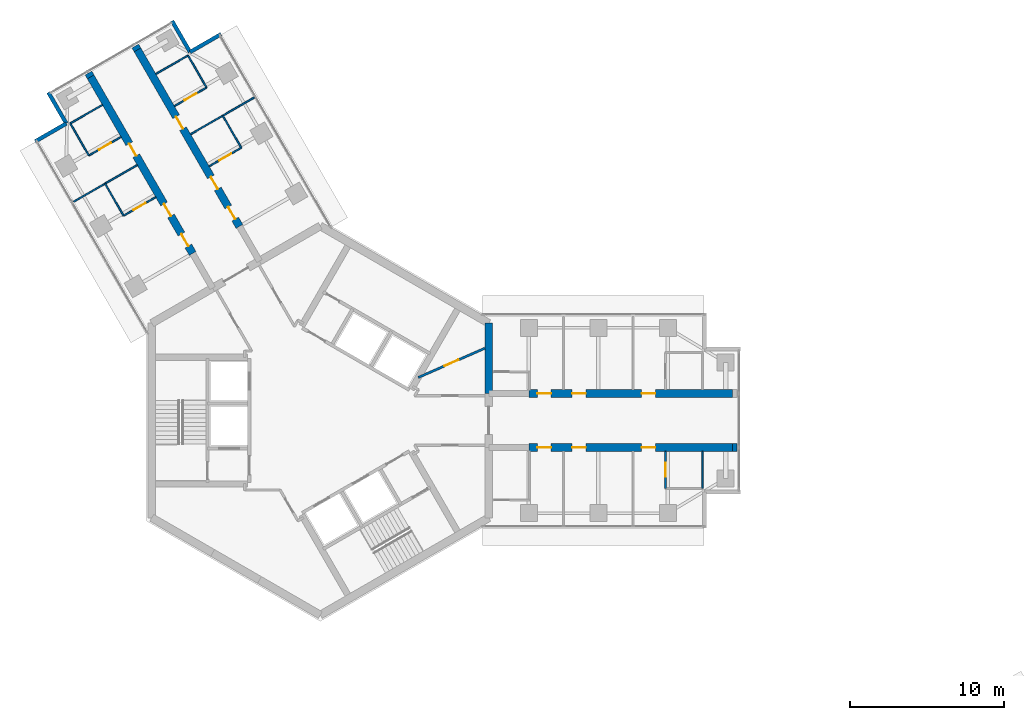
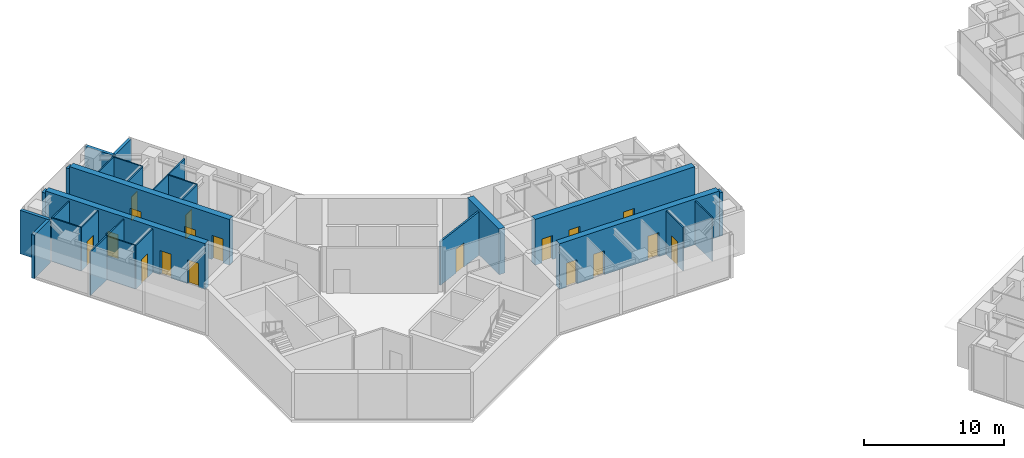
# One storey, part 13 of 18: 27 walls, 18 doors, 18 openings.
"""IFC4 building model written with IfcOpenShell, lengths in metres."""

from ifc_helpers import new_model, si_unit, direction, frame, frame_2d, origin, place, context, subcontext, project, spatial, rectangle, extrude, material, layer, layer_set, type_object, element, fill, save


model = new_model("IFC4")

# Units and contexts
model_context = context("Model", 3, precision=1e-05, world=origin(), true_north=direction((0.0, 1.0)))
body_context = subcontext(model_context, "Body", "Model", "MODEL_VIEW")
ifc_project = project(units=[si_unit("LENGTHUNIT", "METRE"), si_unit("AREAUNIT", "SQUARE_METRE"), si_unit("VOLUMEUNIT", "CUBIC_METRE"), si_unit("PLANEANGLEUNIT", "RADIAN"), si_unit("MASSUNIT", "GRAM", prefix="KILO")], contexts=[model_context])

# Site, building, storey
site_placement = place(None, origin())
site = spatial("IfcSite", under=ifc_project, at=site_placement, CompositionType="ELEMENT")
building_placement = place(site_placement, origin())
building = spatial("IfcBuilding", under=site, at=building_placement, Name="Upepo Twin Towers", CompositionType="ELEMENT")
storey_placement = place(building_placement, frame((0.0, 0.0, 222.5)))
storey = spatial("IfcBuildingStorey", under=building, at=storey_placement, Name="L54", CompositionType="ELEMENT", Elevation=222.5)

# Walls
ifc_material_1 = material(Name="Dense concrete blockwork", Category="masonry")
ifc_layer_1 = layer(ifc_material_1, 0.5)
ifc_layer_set_1 = layer_set([ifc_layer_1], Name="Buttress closer 500, blockwork with fire-stopping to the curtain wall")
wall_type_1 = type_object("IfcWallType", Name="Buttress closer 500, blockwork with fire-stopping to the curtain wall", PredefinedType="PARTITIONING", material=ifc_layer_set_1)
for number, where, z_axis, x_axis, name in (
    (1, (26.699951171875, -1.75, 0.0), (0.0, 0.0, 1.0), (1.0, 0.0, 0.0), "T1 L54 wing A buttress closer R"),
    (2, (-14.865478515625, 22.247802734375, 0.0), (0.0, 0.0, 1.0), (-0.500065409566, 0.86598763626, 0.0), "T1 L54 wing B buttress closer L"),
    (3, (-11.83447265625, 23.997802734375, 0.0), (0.0, 0.0, 1.0), (-0.500065409566, 0.86598763626, 0.0), "T1 L54 wing B buttress closer R"),
):
    element("IfcWall", number, at=place(storey_placement, frame(where, z_axis=z_axis, x_axis=x_axis)), inside=storey, type_object=wall_type_1, Name=name, PredefinedType="PARTITIONING", context=body_context, shape_type="SweptSolid", body=[
        extrude(rectangle(XDim=0.28759765625, YDim=0.5, at=frame_2d((0.143798828125, 0.0))), origin(), (0.0, 0.0, 1.0), 3.800048828125),
    ])

# Wall, openings, doors
ifc_material_2 = material(Name="Concrete C60/75", Category="concrete")
ifc_layer_2 = layer(ifc_material_2, 0.5)
ifc_layer_set_2 = layer_set([ifc_layer_2], Name="Concrete C60/75")
wall_type_2 = type_object("IfcWallType", Name="Buttress wall 500 RC", PredefinedType="SHEAR", material=ifc_layer_set_2)
wall_1_placement = place(storey_placement, frame((13.5, 1.75, 0.0), z_axis=(0.0, 0.0, 1.0), x_axis=(1.0, 0.0, 0.0)))
wall_1 = element("IfcWall", 4, at=wall_1_placement, inside=storey, type_object=wall_type_2, Name="T1 wing A buttress wall L part 2", PredefinedType="SHEAR", context=body_context, shape_type="SweptSolid", body=[
    extrude(rectangle(XDim=13.199951171875, YDim=0.5, at=frame_2d((6.60009765625, 0.0))), origin(), (0.0, 0.0, 1.0), 4.0),
])
opening_1_placement = place(wall_1_placement, frame((0.550048828125, 0.0, 0.0)))
opening_1 = element("IfcOpeningElement", 5, at=opening_1_placement, cuts=wall_1, Name="Opening D11", PredefinedType="OPENING", context=body_context, shape_type="SweptSolid", body=[
    extrude(rectangle(XDim=0.89990234375, YDim=2.10009765625, at=frame_2d((0.449951171875, 1.050048828125))), frame((0.0, 0.260009765625, 0.0), z_axis=(0.0, -1.0, 0.0), x_axis=(1.0, 0.0, 0.0)), (0.0, 0.0, 1.0), 0.52001953125),
])
opening_2_placement = place(wall_1_placement, frame((2.800048828125, 0.0, 0.0)))
opening_2 = element("IfcOpeningElement", 6, at=opening_2_placement, cuts=wall_1, Name="Opening D14", PredefinedType="OPENING", context=body_context, shape_type="SweptSolid", body=[
    extrude(rectangle(XDim=0.89990234375, YDim=2.10009765625, at=frame_2d((0.449951171875, 1.050048828125))), frame((0.0, 0.260009765625, 0.0), z_axis=(0.0, -1.0, 0.0), x_axis=(1.0, 0.0, 0.0)), (0.0, 0.0, 1.0), 0.52001953125),
])
opening_3_placement = place(wall_1_placement, frame((7.300048828125, 0.0, 0.0)))
opening_3 = element("IfcOpeningElement", 7, at=opening_3_placement, cuts=wall_1, Name="Opening D14", PredefinedType="OPENING", context=body_context, shape_type="SweptSolid", body=[
    extrude(rectangle(XDim=0.89990234375, YDim=2.10009765625, at=frame_2d((0.449951171875, 1.050048828125))), frame((0.0, 0.260009765625, 0.0), z_axis=(0.0, -1.0, 0.0), x_axis=(1.0, 0.0, 0.0)), (0.0, 0.0, 1.0), 0.52001953125),
])
ifc_material_3 = material(Name="Timber doorset", Category="wood")
door_type_1 = type_object("IfcDoorType", Name="Office door 900 FD30", OperationType="SINGLE_SWING_LEFT", PredefinedType="DOOR", material=ifc_material_3)
door_1_placement = place(opening_2_placement, origin())
door_1 = element("IfcDoor", 8, at=door_1_placement, inside=storey, type_object=door_type_1, Name="T1 L54 staff office door", OperationType="SINGLE_SWING_LEFT", OverallHeight=2.10009765625, OverallWidth=0.89990234375, PredefinedType="DOOR", context=body_context, shape_type="SweptSolid", body=[
    extrude(rectangle(XDim=0.89990234375, YDim=2.10009765625, at=frame_2d((0.449951171875, 1.050048828125))), frame((0.0, 0.02490234375, 0.0), z_axis=(0.0, -1.0, 0.0), x_axis=(1.0, 0.0, 0.0)), (0.0, 0.0, 1.0), 0.050048828125),
])
fill(opening_2, door_1)
door_2_placement = place(opening_3_placement, origin())
door_2 = element("IfcDoor", 9, at=door_2_placement, inside=storey, type_object=door_type_1, Name="T1 L54 postgraduate office door", OperationType="SINGLE_SWING_RIGHT", OverallHeight=2.10009765625, OverallWidth=0.89990234375, PredefinedType="DOOR", context=body_context, shape_type="SweptSolid", body=[
    extrude(rectangle(XDim=0.89990234375, YDim=2.10009765625, at=frame_2d((0.449951171875, 1.050048828125))), frame((0.0, 0.02490234375, 0.0), z_axis=(0.0, -1.0, 0.0), x_axis=(1.0, 0.0, 0.0)), (0.0, 0.0, 1.0), 0.050048828125),
])
fill(opening_3, door_2)
ifc_material_4 = material(Name="Timber doorset", Category="wood")
door_type_2 = type_object("IfcDoorType", Name="Toilet door 900", OperationType="SINGLE_SWING_LEFT", PredefinedType="DOOR", material=ifc_material_4)
door_3_placement = place(opening_1_placement, origin())
door_3 = element("IfcDoor", 10, at=door_3_placement, inside=storey, type_object=door_type_2, Name="T1 L54 toilets door", OperationType="SINGLE_SWING_LEFT", OverallHeight=2.10009765625, OverallWidth=0.89990234375, PredefinedType="DOOR", context=body_context, shape_type="SweptSolid", body=[
    extrude(rectangle(XDim=0.89990234375, YDim=2.10009765625, at=frame_2d((0.449951171875, 1.050048828125))), frame((0.0, 0.02490234375, 0.0), z_axis=(0.0, -1.0, 0.0), x_axis=(1.0, 0.0, 0.0)), (0.0, 0.0, 1.0), 0.050048828125),
])
fill(opening_1, door_3)

wall_2_placement = place(storey_placement, frame((13.5, -1.75, 0.0), z_axis=(0.0, 0.0, 1.0), x_axis=(1.0, 0.0, 0.0)))
wall_2 = element("IfcWall", 11, at=wall_2_placement, inside=storey, type_object=wall_type_2, Name="T1 wing A buttress wall R part 2", PredefinedType="SHEAR", context=body_context, shape_type="SweptSolid", body=[
    extrude(rectangle(XDim=13.199951171875, YDim=0.5, at=frame_2d((6.60009765625, 0.0))), origin(), (0.0, 0.0, 1.0), 4.0),
])
opening_4_placement = place(wall_2_placement, frame((0.550048828125, 0.0, 0.0)))
opening_4 = element("IfcOpeningElement", 12, at=opening_4_placement, cuts=wall_2, Name="Opening D11", PredefinedType="OPENING", context=body_context, shape_type="SweptSolid", body=[
    extrude(rectangle(XDim=0.89990234375, YDim=2.10009765625, at=frame_2d((0.449951171875, 1.050048828125))), frame((0.0, 0.260009765625, 0.0), z_axis=(0.0, -1.0, 0.0), x_axis=(1.0, 0.0, 0.0)), (0.0, 0.0, 1.0), 0.52001953125),
])
opening_5_placement = place(wall_2_placement, frame((2.800048828125, 0.0, 0.0)))
opening_5 = element("IfcOpeningElement", 13, at=opening_5_placement, cuts=wall_2, Name="Opening D14", PredefinedType="OPENING", context=body_context, shape_type="SweptSolid", body=[
    extrude(rectangle(XDim=0.89990234375, YDim=2.10009765625, at=frame_2d((0.449951171875, 1.050048828125))), frame((0.0, 0.260009765625, 0.0), z_axis=(0.0, -1.0, 0.0), x_axis=(1.0, 0.0, 0.0)), (0.0, 0.0, 1.0), 0.52001953125),
])
opening_6_placement = place(wall_2_placement, frame((7.300048828125, 0.0, 0.0)))
opening_6 = element("IfcOpeningElement", 14, at=opening_6_placement, cuts=wall_2, Name="Opening D14", PredefinedType="OPENING", context=body_context, shape_type="SweptSolid", body=[
    extrude(rectangle(XDim=0.89990234375, YDim=2.10009765625, at=frame_2d((0.449951171875, 1.050048828125))), frame((0.0, 0.260009765625, 0.0), z_axis=(0.0, -1.0, 0.0), x_axis=(1.0, 0.0, 0.0)), (0.0, 0.0, 1.0), 0.52001953125),
])
door_4_placement = place(opening_5_placement, origin())
door_4 = element("IfcDoor", 15, at=door_4_placement, inside=storey, type_object=door_type_1, Name="T1 L54 meeting room door", OperationType="SINGLE_SWING_LEFT", OverallHeight=2.10009765625, OverallWidth=0.89990234375, PredefinedType="DOOR", context=body_context, shape_type="SweptSolid", body=[
    extrude(rectangle(XDim=0.89990234375, YDim=2.10009765625, at=frame_2d((0.449951171875, 1.050048828125))), frame((0.0, 0.02490234375, 0.0), z_axis=(0.0, -1.0, 0.0), x_axis=(1.0, 0.0, 0.0)), (0.0, 0.0, 1.0), 0.050048828125),
])
fill(opening_5, door_4)
door_5_placement = place(opening_6_placement, origin())
door_5 = element("IfcDoor", 16, at=door_5_placement, inside=storey, type_object=door_type_1, Name="T1 L54 staff office door", OperationType="SINGLE_SWING_RIGHT", OverallHeight=2.10009765625, OverallWidth=0.89990234375, PredefinedType="DOOR", context=body_context, shape_type="SweptSolid", body=[
    extrude(rectangle(XDim=0.89990234375, YDim=2.10009765625, at=frame_2d((0.449951171875, 1.050048828125))), frame((0.0, 0.02490234375, 0.0), z_axis=(0.0, -1.0, 0.0), x_axis=(1.0, 0.0, 0.0)), (0.0, 0.0, 1.0), 0.050048828125),
])
fill(opening_6, door_5)
door_6_placement = place(opening_4_placement, origin())
door_6 = element("IfcDoor", 17, at=door_6_placement, inside=storey, type_object=door_type_2, Name="T1 L54 accessible wc door", OperationType="SINGLE_SWING_LEFT", OverallHeight=2.10009765625, OverallWidth=0.89990234375, PredefinedType="DOOR", context=body_context, shape_type="SweptSolid", body=[
    extrude(rectangle(XDim=0.89990234375, YDim=2.10009765625, at=frame_2d((0.449951171875, 1.050048828125))), frame((0.0, 0.02490234375, 0.0), z_axis=(0.0, -1.0, 0.0), x_axis=(1.0, 0.0, 0.0)), (0.0, 0.0, 1.0), 0.050048828125),
])
fill(opening_4, door_6)

wall_3_placement = place(storey_placement, frame((-8.265625, 10.81640625, 0.0), z_axis=(0.0, 0.0, 1.0), x_axis=(-0.499996231654, 0.866027579429, 0.0)))
wall_3 = element("IfcWall", 18, at=wall_3_placement, inside=storey, type_object=wall_type_2, Name="T1 wing B buttress wall L part 2", PredefinedType="SHEAR", context=body_context, shape_type="SweptSolid", body=[
    extrude(rectangle(XDim=13.19970703125, YDim=0.5, at=frame_2d((6.599853515625, 0.0))), origin(), (0.0, 0.0, 1.0), 4.0),
])
opening_7_placement = place(wall_3_placement, frame((0.550048828125, 0.0, 0.0)))
opening_7 = element("IfcOpeningElement", 19, at=opening_7_placement, cuts=wall_3, Name="Opening D14", PredefinedType="OPENING", context=body_context, shape_type="SweptSolid", body=[
    extrude(rectangle(XDim=0.89990234375, YDim=2.10009765625, at=frame_2d((0.449951171875, 1.050048828125))), frame((0.0, 0.260009765625, 0.0), z_axis=(0.0, -1.0, 0.0), x_axis=(1.0, 0.0, 0.0)), (0.0, 0.0, 1.0), 0.52001953125),
])
opening_8_placement = place(wall_3_placement, frame((2.800048828125, 0.0, 0.0)))
opening_8 = element("IfcOpeningElement", 20, at=opening_8_placement, cuts=wall_3, Name="Opening D14", PredefinedType="OPENING", context=body_context, shape_type="SweptSolid", body=[
    extrude(rectangle(XDim=0.89990234375, YDim=2.10009765625, at=frame_2d((0.449951171875, 1.050048828125))), frame((0.0, 0.260009765625, 0.0), z_axis=(0.0, -1.0, 0.0), x_axis=(1.0, 0.0, 0.0)), (0.0, 0.0, 1.0), 0.52001953125),
])
opening_9_placement = place(wall_3_placement, frame((7.300048828125, 0.0, 0.0)))
opening_9 = element("IfcOpeningElement", 21, at=opening_9_placement, cuts=wall_3, Name="Opening D14", PredefinedType="OPENING", context=body_context, shape_type="SweptSolid", body=[
    extrude(rectangle(XDim=0.89990234375, YDim=2.10009765625, at=frame_2d((0.449951171875, 1.050048828125))), frame((0.0, 0.260009765625, 0.0), z_axis=(0.0, -1.0, 0.0), x_axis=(1.0, 0.0, 0.0)), (0.0, 0.0, 1.0), 0.52001953125),
])
door_7_placement = place(opening_7_placement, origin())
door_7 = element("IfcDoor", 22, at=door_7_placement, inside=storey, type_object=door_type_1, Name="T1 L54 open-plan department office door", OperationType="SINGLE_SWING_LEFT", OverallHeight=2.10009765625, OverallWidth=0.89990234375, PredefinedType="DOOR", context=body_context, shape_type="SweptSolid", body=[
    extrude(rectangle(XDim=0.89990234375, YDim=2.10009765625, at=frame_2d((0.449951171875, 1.050048828125))), frame((0.0, 0.02490234375, 0.0), z_axis=(0.0, -1.0, 0.0), x_axis=(1.0, 0.0, 0.0)), (0.0, 0.0, 1.0), 0.050048828125),
])
fill(opening_7, door_7)
door_8_placement = place(opening_8_placement, origin())
door_8 = element("IfcDoor", 23, at=door_8_placement, inside=storey, type_object=door_type_1, Name="T1 L54 open-plan department office door", OperationType="SINGLE_SWING_LEFT", OverallHeight=2.10009765625, OverallWidth=0.89990234375, PredefinedType="DOOR", context=body_context, shape_type="SweptSolid", body=[
    extrude(rectangle(XDim=0.89990234375, YDim=2.10009765625, at=frame_2d((0.449951171875, 1.050048828125))), frame((0.0, 0.02490234375, 0.0), z_axis=(0.0, -1.0, 0.0), x_axis=(1.0, 0.0, 0.0)), (0.0, 0.0, 1.0), 0.050048828125),
])
fill(opening_8, door_8)
door_9_placement = place(opening_9_placement, origin())
door_9 = element("IfcDoor", 24, at=door_9_placement, inside=storey, type_object=door_type_1, Name="T1 L54 staff office door", OperationType="SINGLE_SWING_RIGHT", OverallHeight=2.10009765625, OverallWidth=0.89990234375, PredefinedType="DOOR", context=body_context, shape_type="SweptSolid", body=[
    extrude(rectangle(XDim=0.89990234375, YDim=2.10009765625, at=frame_2d((0.449951171875, 1.050048828125))), frame((0.0, 0.02490234375, 0.0), z_axis=(0.0, -1.0, 0.0), x_axis=(1.0, 0.0, 0.0)), (0.0, 0.0, 1.0), 0.050048828125),
])
fill(opening_9, door_9)

wall_4_placement = place(storey_placement, frame((-5.234375, 12.56640625, 0.0), z_axis=(0.0, 0.0, 1.0), x_axis=(-0.500010103361, 0.866019570528, 0.0)))
wall_4 = element("IfcWall", 25, at=wall_4_placement, inside=storey, type_object=wall_type_2, Name="T1 wing B buttress wall R part 2", PredefinedType="SHEAR", context=body_context, shape_type="SweptSolid", body=[
    extrude(rectangle(XDim=13.199951171875, YDim=0.5, at=frame_2d((6.60009765625, 0.0))), origin(), (0.0, 0.0, 1.0), 4.0),
])
opening_10_placement = place(wall_4_placement, frame((0.550048828125, 0.0, 0.0)))
opening_10 = element("IfcOpeningElement", 26, at=opening_10_placement, cuts=wall_4, Name="Opening D14", PredefinedType="OPENING", context=body_context, shape_type="SweptSolid", body=[
    extrude(rectangle(XDim=0.89990234375, YDim=2.10009765625, at=frame_2d((0.449951171875, 1.050048828125))), frame((0.0, 0.260009765625, 0.0), z_axis=(0.0, -1.0, 0.0), x_axis=(1.0, 0.0, 0.0)), (0.0, 0.0, 1.0), 0.52001953125),
])
opening_11_placement = place(wall_4_placement, frame((2.800048828125, 0.0, 0.0)))
opening_11 = element("IfcOpeningElement", 27, at=opening_11_placement, cuts=wall_4, Name="Opening D14", PredefinedType="OPENING", context=body_context, shape_type="SweptSolid", body=[
    extrude(rectangle(XDim=0.89990234375, YDim=2.10009765625, at=frame_2d((0.449951171875, 1.050048828125))), frame((0.0, 0.260009765625, 0.0), z_axis=(0.0, -1.0, 0.0), x_axis=(1.0, 0.0, 0.0)), (0.0, 0.0, 1.0), 0.52001953125),
])
opening_12_placement = place(wall_4_placement, frame((7.300048828125, 0.0, 0.0)))
opening_12 = element("IfcOpeningElement", 28, at=opening_12_placement, cuts=wall_4, Name="Opening D14", PredefinedType="OPENING", context=body_context, shape_type="SweptSolid", body=[
    extrude(rectangle(XDim=0.89990234375, YDim=2.10009765625, at=frame_2d((0.449951171875, 1.050048828125))), frame((0.0, 0.260009765625, 0.0), z_axis=(0.0, -1.0, 0.0), x_axis=(1.0, 0.0, 0.0)), (0.0, 0.0, 1.0), 0.52001953125),
])
door_10_placement = place(opening_10_placement, origin())
door_10 = element("IfcDoor", 29, at=door_10_placement, inside=storey, type_object=door_type_1, Name="T1 L54 open-plan department office door", OperationType="SINGLE_SWING_LEFT", OverallHeight=2.10009765625, OverallWidth=0.89990234375, PredefinedType="DOOR", context=body_context, shape_type="SweptSolid", body=[
    extrude(rectangle(XDim=0.89990234375, YDim=2.10009765625, at=frame_2d((0.449951171875, 1.050048828125))), frame((0.0, 0.02490234375, 0.0), z_axis=(0.0, -1.0, 0.0), x_axis=(1.0, 0.0, 0.0)), (0.0, 0.0, 1.0), 0.050048828125),
])
fill(opening_10, door_10)
door_11_placement = place(opening_11_placement, origin())
door_11 = element("IfcDoor", 30, at=door_11_placement, inside=storey, type_object=door_type_1, Name="T1 L54 open-plan department office door", OperationType="SINGLE_SWING_LEFT", OverallHeight=2.10009765625, OverallWidth=0.89990234375, PredefinedType="DOOR", context=body_context, shape_type="SweptSolid", body=[
    extrude(rectangle(XDim=0.89990234375, YDim=2.10009765625, at=frame_2d((0.449951171875, 1.050048828125))), frame((0.0, 0.02490234375, 0.0), z_axis=(0.0, -1.0, 0.0), x_axis=(1.0, 0.0, 0.0)), (0.0, 0.0, 1.0), 0.050048828125),
])
fill(opening_11, door_11)
door_12_placement = place(opening_12_placement, origin())
door_12 = element("IfcDoor", 31, at=door_12_placement, inside=storey, type_object=door_type_1, Name="T1 L54 postgraduate office door", OperationType="SINGLE_SWING_RIGHT", OverallHeight=2.10009765625, OverallWidth=0.89990234375, PredefinedType="DOOR", context=body_context, shape_type="SweptSolid", body=[
    extrude(rectangle(XDim=0.89990234375, YDim=2.10009765625, at=frame_2d((0.449951171875, 1.050048828125))), frame((0.0, 0.02490234375, 0.0), z_axis=(0.0, -1.0, 0.0), x_axis=(1.0, 0.0, 0.0)), (0.0, 0.0, 1.0), 0.050048828125),
])
fill(opening_12, door_12)

# Walls
ifc_material_5 = material(Name="Concrete C60/75", Category="concrete")
ifc_layer_3 = layer(ifc_material_5, 0.5)
ifc_layer_set_3 = layer_set([ifc_layer_3], Name="Concrete C60/75")
wall_type_3 = type_object("IfcWallType", Name="Core wall 500 RC", PredefinedType="SHEAR", material=ifc_layer_set_3)
wall_5_placement = place(storey_placement, frame((10.908447265625, 1.75, 0.0), z_axis=(0.0, 0.0, 1.0), x_axis=(0.0, 1.0, 0.0)))
element("IfcWall", 32, at=wall_5_placement, inside=storey, type_object=wall_type_3, Name="T1 core wall 000 L", PredefinedType="SHEAR", context=body_context, shape_type="SweptSolid", body=[
    extrude(rectangle(XDim=4.5478515625, YDim=0.5, at=frame_2d((2.27392578125, 0.0))), origin(), (0.0, 0.0, 1.0), 4.0),
])
ifc_material_6 = material(Name="Blockwork with anodised aluminium cladding", Category="masonry")
ifc_layer_4 = layer(ifc_material_6, 0.25)
ifc_layer_set_4 = layer_set([ifc_layer_4], Name="Notch cladding wall 250, pale metal")
wall_type_4 = type_object("IfcWallType", Name="Notch cladding wall 250, pale metal", PredefinedType="STANDARD", material=ifc_layer_set_4)
for number, where, z_axis, x_axis, name in (
    (33, (-18.456298828125, 18.0673828125, 0.0), (0.0, 0.0, 1.0), (0.865998469481, 0.500046648681, 0.0), "T1 L54 wing B notch wall L1"),
    (34, (-16.44287109375, 19.22998046875, 0.0), (0.0, 0.0, 1.0), (-0.500046648681, 0.865998469481, 0.0), "T1 L54 wing B notch wall L2"),
    (35, (-6.418701171875, 25.017333984375, 0.0), (0.0, 0.0, 1.0), (-0.866043940782, -0.499967891604, 0.0), "T1 L54 wing B notch wall R1"),
    (36, (-8.43212890625, 23.85498046875, 0.0), (0.0, 0.0, 1.0), (-0.500046648681, 0.865998469481, 0.0), "T1 L54 wing B notch wall R2"),
):
    element("IfcWall", number, at=place(storey_placement, frame(where, z_axis=z_axis, x_axis=x_axis)), inside=storey, type_object=wall_type_4, Name=name, PredefinedType="STANDARD", context=body_context, shape_type="SweptSolid", body=[
        extrude(rectangle(XDim=2.324951171875, YDim=0.25, at=frame_2d((1.16259765625, 0.0))), origin(), (0.0, 0.0, 1.0), 3.800048828125),
    ])

# Wall, opening, door
ifc_material_7 = material(Name="Gypsum board on steel studs", Category="steel")
ifc_layer_5 = layer(ifc_material_7, 0.10009765625)
ifc_layer_set_5 = layer_set([ifc_layer_5], Name="Office partition 100 stud")
wall_type_5 = type_object("IfcWallType", Name="Office partition 100 stud", PredefinedType="PARTITIONING", material=ifc_layer_set_5)
wall_6_placement = place(storey_placement, frame((22.35009765625, -2.0, 0.0), z_axis=(0.0, 0.0, 1.0), x_axis=(0.0, -1.0, 0.0)))
wall_6 = element("IfcWall", 37, at=wall_6_placement, inside=storey, type_object=wall_type_5, Name="T1 inner room partition AR end at 22.35", PredefinedType="PARTITIONING", context=body_context, shape_type="SweptSolid", body=[
    extrude(rectangle(XDim=2.39990234375, YDim=0.10009765625, at=frame_2d((1.199951171875, 0.0))), origin(), (0.0, 0.0, 1.0), 3.800048828125),
])
opening_13_placement = place(wall_6_placement, frame((0.75, 0.0, 0.0)))
opening_13 = element("IfcOpeningElement", 38, at=opening_13_placement, cuts=wall_6, Name="Opening D14", PredefinedType="OPENING", context=body_context, shape_type="SweptSolid", body=[
    extrude(rectangle(XDim=0.89990234375, YDim=2.10009765625, at=frame_2d((0.449951171875, 1.050048828125))), frame((0.0, 0.06005859375, 0.0), z_axis=(0.0, -1.0, 0.0), x_axis=(1.0, 0.0, 0.0)), (0.0, 0.0, 1.0), 0.1201171875),
])
door_13_placement = place(opening_13_placement, origin())
door_13 = element("IfcDoor", 39, at=door_13_placement, inside=storey, type_object=door_type_1, Name="T1 L54 inner room door", OperationType="SINGLE_SWING_LEFT", OverallHeight=2.10009765625, OverallWidth=0.89990234375, PredefinedType="DOOR", context=body_context, shape_type="SweptSolid", body=[
    extrude(rectangle(XDim=0.89990234375, YDim=2.10009765625, at=frame_2d((0.449951171875, 1.050048828125))), frame((0.0, 0.02490234375, 0.0), z_axis=(0.0, -1.0, 0.0), x_axis=(1.0, 0.0, 0.0)), (0.0, 0.0, 1.0), 0.050048828125),
])
fill(opening_13, door_13)

# Walls
wall_7_placement = place(storey_placement, frame((24.75, -2.0, 0.0), z_axis=(0.0, 0.0, 1.0), x_axis=(0.0, -1.0, 0.0)))
element("IfcWall", 40, at=wall_7_placement, inside=storey, type_object=wall_type_5, Name="T1 inner room partition AR end at 24.75", PredefinedType="PARTITIONING", context=body_context, shape_type="SweptSolid", body=[
    extrude(rectangle(XDim=2.39990234375, YDim=0.10009765625, at=frame_2d((1.199951171875, 0.0))), origin(), (0.0, 0.0, 1.0), 3.800048828125),
])
wall_8_placement = place(storey_placement, frame((-11.85693359375, 16.537109375, 0.0), z_axis=(0.0, 0.0, 1.0), x_axis=(-0.866033238375, -0.499986429846, 0.0)))
element("IfcWall", 41, at=wall_8_placement, inside=storey, type_object=wall_type_5, Name="T1 partition BL at 20.25", PredefinedType="PARTITIONING", context=body_context, shape_type="SweptSolid", body=[
    extrude(rectangle(XDim=4.750244140625, YDim=0.10009765625, at=frame_2d((2.375, 0.0))), origin(), (0.0, 0.0, 1.0), 3.800048828125),
])
wall_9_placement = place(storey_placement, frame((-12.735595703125, 13.258544921875, 0.0), z_axis=(0.0, 0.0, 1.0), x_axis=(-0.500001309137, 0.866024647952, 0.0)))
element("IfcWall", 42, at=wall_9_placement, inside=storey, type_object=wall_type_5, Name="T1 inner room partition BL at 17.85", PredefinedType="PARTITIONING", context=body_context, shape_type="SweptSolid", body=[
    extrude(rectangle(XDim=2.39990234375, YDim=0.10009765625, at=frame_2d((1.199951171875, 0.0))), origin(), (0.0, 0.0, 1.0), 3.800048828125),
])

# Wall, opening, door
wall_10_placement = place(storey_placement, frame((-10.656982421875, 14.45849609375, 0.0), z_axis=(0.0, 0.0, 1.0), x_axis=(-0.866050077142, -0.499957262057, 0.0)))
wall_10 = element("IfcWall", 43, at=wall_10_placement, inside=storey, type_object=wall_type_5, Name="T1 inner room partition BL end at 17.85", PredefinedType="PARTITIONING", context=body_context, shape_type="SweptSolid", body=[
    extrude(rectangle(XDim=2.400146484375, YDim=0.10009765625, at=frame_2d((1.2001953125, 0.0))), origin(), (0.0, 0.0, 1.0), 3.800048828125),
])
opening_14_placement = place(wall_10_placement, frame((0.75, 0.0, 0.0)))
opening_14 = element("IfcOpeningElement", 44, at=opening_14_placement, cuts=wall_10, Name="Opening D14", PredefinedType="OPENING", context=body_context, shape_type="SweptSolid", body=[
    extrude(rectangle(XDim=0.89990234375, YDim=2.10009765625, at=frame_2d((0.449951171875, 1.050048828125))), frame((0.0, 0.06005859375, 0.0), z_axis=(0.0, -1.0, 0.0), x_axis=(1.0, 0.0, 0.0)), (0.0, 0.0, 1.0), 0.1201171875),
])
door_14_placement = place(opening_14_placement, origin())
door_14 = element("IfcDoor", 45, at=door_14_placement, inside=storey, type_object=door_type_1, Name="T1 L54 inner room door", OperationType="SINGLE_SWING_LEFT", OverallHeight=2.10009765625, OverallWidth=0.89990234375, PredefinedType="DOOR", context=body_context, shape_type="SweptSolid", body=[
    extrude(rectangle(XDim=0.89990234375, YDim=2.10009765625, at=frame_2d((0.449951171875, 1.050048828125))), frame((0.0, 0.02490234375, 0.0), z_axis=(0.0, -1.0, 0.0), x_axis=(1.0, 0.0, 0.0)), (0.0, 0.0, 1.0), 0.050048828125),
])
fill(opening_14, door_14)

# Wall
wall_11_placement = place(storey_placement, frame((-14.985595703125, 17.15576171875, 0.0), z_axis=(0.0, 0.0, 1.0), x_axis=(-0.500001309137, 0.866024647952, 0.0)))
element("IfcWall", 46, at=wall_11_placement, inside=storey, type_object=wall_type_5, Name="T1 inner room partition BL at 22.35", PredefinedType="PARTITIONING", context=body_context, shape_type="SweptSolid", body=[
    extrude(rectangle(XDim=2.39990234375, YDim=0.10009765625, at=frame_2d((1.199951171875, 0.0))), origin(), (0.0, 0.0, 1.0), 3.800048828125),
])

# Wall, opening, door
wall_12_placement = place(storey_placement, frame((-12.906982421875, 18.355712890625, 0.0), z_axis=(0.0, 0.0, 1.0), x_axis=(-0.866050077142, -0.499957262057, 0.0)))
wall_12 = element("IfcWall", 47, at=wall_12_placement, inside=storey, type_object=wall_type_5, Name="T1 inner room partition BL end at 22.35", PredefinedType="PARTITIONING", context=body_context, shape_type="SweptSolid", body=[
    extrude(rectangle(XDim=2.400146484375, YDim=0.10009765625, at=frame_2d((1.2001953125, 0.0))), origin(), (0.0, 0.0, 1.0), 3.800048828125),
])
opening_15_placement = place(wall_12_placement, frame((0.75, 0.0, 0.0)))
opening_15 = element("IfcOpeningElement", 48, at=opening_15_placement, cuts=wall_12, Name="Opening D14", PredefinedType="OPENING", context=body_context, shape_type="SweptSolid", body=[
    extrude(rectangle(XDim=0.89990234375, YDim=2.10009765625, at=frame_2d((0.449951171875, 1.050048828125))), frame((0.0, 0.06005859375, 0.0), z_axis=(0.0, -1.0, 0.0), x_axis=(1.0, 0.0, 0.0)), (0.0, 0.0, 1.0), 0.1201171875),
])
door_15_placement = place(opening_15_placement, origin())
door_15 = element("IfcDoor", 49, at=door_15_placement, inside=storey, type_object=door_type_1, Name="T1 L54 inner room door", OperationType="SINGLE_SWING_LEFT", OverallHeight=2.10009765625, OverallWidth=0.89990234375, PredefinedType="DOOR", context=body_context, shape_type="SweptSolid", body=[
    extrude(rectangle(XDim=0.89990234375, YDim=2.10009765625, at=frame_2d((0.449951171875, 1.050048828125))), frame((0.0, 0.02490234375, 0.0), z_axis=(0.0, -1.0, 0.0), x_axis=(1.0, 0.0, 0.0)), (0.0, 0.0, 1.0), 0.050048828125),
])
fill(opening_15, door_15)

# Walls
wall_13_placement = place(storey_placement, frame((-14.10693359375, 20.43408203125, 0.0), z_axis=(0.0, 0.0, 1.0), x_axis=(-0.866050077142, -0.499957262057, 0.0)))
element("IfcWall", 50, at=wall_13_placement, inside=storey, type_object=wall_type_5, Name="T1 inner room partition BL end at 24.75", PredefinedType="PARTITIONING", context=body_context, shape_type="SweptSolid", body=[
    extrude(rectangle(XDim=2.400146484375, YDim=0.10009765625, at=frame_2d((1.2001953125, 0.0))), origin(), (0.0, 0.0, 1.0), 3.800048828125),
])
wall_14_placement = place(storey_placement, frame((-8.39306640625, 18.537109375, 0.0), z_axis=(0.0, 0.0, 1.0), x_axis=(0.866033238375, 0.499986429846, 0.0)))
element("IfcWall", 51, at=wall_14_placement, inside=storey, type_object=wall_type_5, Name="T1 partition BR at 20.25", PredefinedType="PARTITIONING", context=body_context, shape_type="SweptSolid", body=[
    extrude(rectangle(XDim=4.750244140625, YDim=0.10009765625, at=frame_2d((2.375, 0.0))), origin(), (0.0, 0.0, 1.0), 3.800048828125),
])
wall_15_placement = place(storey_placement, frame((-5.114501953125, 17.658447265625, 0.0), z_axis=(0.0, 0.0, 1.0), x_axis=(-0.499957262057, 0.866050077142, 0.0)))
element("IfcWall", 52, at=wall_15_placement, inside=storey, type_object=wall_type_5, Name="T1 inner room partition BR at 17.85", PredefinedType="PARTITIONING", context=body_context, shape_type="SweptSolid", body=[
    extrude(rectangle(XDim=2.400146484375, YDim=0.10009765625, at=frame_2d((1.2001953125, 0.0))), origin(), (0.0, 0.0, 1.0), 3.800048828125),
])

# Wall, opening, door
wall_16_placement = place(storey_placement, frame((-7.19287109375, 16.45849609375, 0.0), z_axis=(0.0, 0.0, 1.0), x_axis=(0.866024647952, 0.500001309137, 0.0)))
wall_16 = element("IfcWall", 53, at=wall_16_placement, inside=storey, type_object=wall_type_5, Name="T1 inner room partition BR end at 17.85", PredefinedType="PARTITIONING", context=body_context, shape_type="SweptSolid", body=[
    extrude(rectangle(XDim=2.39990234375, YDim=0.10009765625, at=frame_2d((1.199951171875, 0.0))), origin(), (0.0, 0.0, 1.0), 3.800048828125),
])
opening_16_placement = place(wall_16_placement, frame((0.75, 0.0, 0.0)))
opening_16 = element("IfcOpeningElement", 54, at=opening_16_placement, cuts=wall_16, Name="Opening D14", PredefinedType="OPENING", context=body_context, shape_type="SweptSolid", body=[
    extrude(rectangle(XDim=0.89990234375, YDim=2.10009765625, at=frame_2d((0.449951171875, 1.050048828125))), frame((0.0, 0.06005859375, 0.0), z_axis=(0.0, -1.0, 0.0), x_axis=(1.0, 0.0, 0.0)), (0.0, 0.0, 1.0), 0.1201171875),
])
door_16_placement = place(opening_16_placement, origin())
door_16 = element("IfcDoor", 55, at=door_16_placement, inside=storey, type_object=door_type_1, Name="T1 L54 inner room door", OperationType="SINGLE_SWING_LEFT", OverallHeight=2.10009765625, OverallWidth=0.89990234375, PredefinedType="DOOR", context=body_context, shape_type="SweptSolid", body=[
    extrude(rectangle(XDim=0.89990234375, YDim=2.10009765625, at=frame_2d((0.449951171875, 1.050048828125))), frame((0.0, 0.02490234375, 0.0), z_axis=(0.0, -1.0, 0.0), x_axis=(1.0, 0.0, 0.0)), (0.0, 0.0, 1.0), 0.050048828125),
])
fill(opening_16, door_16)

# Wall
wall_17_placement = place(storey_placement, frame((-7.364501953125, 21.5556640625, 0.0), z_axis=(0.0, 0.0, 1.0), x_axis=(-0.500001309137, 0.866024647952, 0.0)))
element("IfcWall", 56, at=wall_17_placement, inside=storey, type_object=wall_type_5, Name="T1 inner room partition BR at 22.35", PredefinedType="PARTITIONING", context=body_context, shape_type="SweptSolid", body=[
    extrude(rectangle(XDim=2.39990234375, YDim=0.10009765625, at=frame_2d((1.199951171875, 0.0))), origin(), (0.0, 0.0, 1.0), 3.800048828125),
])

# Wall, opening, door
wall_18_placement = place(storey_placement, frame((-9.44287109375, 20.355712890625, 0.0), z_axis=(0.0, 0.0, 1.0), x_axis=(0.866024647952, 0.500001309137, 0.0)))
wall_18 = element("IfcWall", 57, at=wall_18_placement, inside=storey, type_object=wall_type_5, Name="T1 inner room partition BR end at 22.35", PredefinedType="PARTITIONING", context=body_context, shape_type="SweptSolid", body=[
    extrude(rectangle(XDim=2.39990234375, YDim=0.10009765625, at=frame_2d((1.199951171875, 0.0))), origin(), (0.0, 0.0, 1.0), 3.800048828125),
])
opening_17_placement = place(wall_18_placement, frame((0.75, 0.0, 0.0)))
opening_17 = element("IfcOpeningElement", 58, at=opening_17_placement, cuts=wall_18, Name="Opening D14", PredefinedType="OPENING", context=body_context, shape_type="SweptSolid", body=[
    extrude(rectangle(XDim=0.89990234375, YDim=2.10009765625, at=frame_2d((0.449951171875, 1.050048828125))), frame((0.0, 0.06005859375, 0.0), z_axis=(0.0, -1.0, 0.0), x_axis=(1.0, 0.0, 0.0)), (0.0, 0.0, 1.0), 0.1201171875),
])
door_17_placement = place(opening_17_placement, origin())
door_17 = element("IfcDoor", 59, at=door_17_placement, inside=storey, type_object=door_type_1, Name="T1 L54 inner room door", OperationType="SINGLE_SWING_LEFT", OverallHeight=2.10009765625, OverallWidth=0.89990234375, PredefinedType="DOOR", context=body_context, shape_type="SweptSolid", body=[
    extrude(rectangle(XDim=0.89990234375, YDim=2.10009765625, at=frame_2d((0.449951171875, 1.050048828125))), frame((0.0, 0.02490234375, 0.0), z_axis=(0.0, -1.0, 0.0), x_axis=(1.0, 0.0, 0.0)), (0.0, 0.0, 1.0), 0.050048828125),
])
fill(opening_17, door_17)

# Wall
wall_19_placement = place(storey_placement, frame((-10.64306640625, 22.43408203125, 0.0), z_axis=(0.0, 0.0, 1.0), x_axis=(0.866050077142, 0.499957262057, 0.0)))
element("IfcWall", 60, at=wall_19_placement, inside=storey, type_object=wall_type_5, Name="T1 inner room partition BR end at 24.75", PredefinedType="PARTITIONING", context=body_context, shape_type="SweptSolid", body=[
    extrude(rectangle(XDim=2.400146484375, YDim=0.10009765625, at=frame_2d((1.2001953125, 0.0))), origin(), (0.0, 0.0, 1.0), 3.800048828125),
])

# Wall, opening, door
ifc_material_8 = material(Name="Gypsum board on steel studs", Category="steel")
ifc_layer_6 = layer(ifc_material_8, 0.14990234375)
ifc_layer_set_6 = layer_set([ifc_layer_6], Name="Teaching partition 150 acoustic")
wall_type_6 = type_object("IfcWallType", Name="Teaching partition 150 acoustic", PredefinedType="PARTITIONING", material=ifc_layer_set_6)
wall_20_placement = place(storey_placement, frame((6.34228515625, 2.78515625, 0.0), z_axis=(0.0, 0.0, 1.0), x_axis=(0.915607292951, 0.402073730919, 0.0)))
wall_20 = element("IfcWall", 61, at=wall_20_placement, inside=storey, type_object=wall_type_6, Name="T1 core room partition 17", PredefinedType="PARTITIONING", context=body_context, shape_type="SweptSolid", body=[
    extrude(rectangle(XDim=4.713623046875, YDim=0.14990234375, at=frame_2d((2.35693359375, 0.0))), origin(), (0.0, 0.0, 1.0), 3.800048828125),
])
opening_18_placement = place(wall_20_placement, frame((1.85693359375, 0.0, 0.0)))
opening_18 = element("IfcOpeningElement", 62, at=opening_18_placement, cuts=wall_20, Name="Opening D1", PredefinedType="OPENING", context=body_context, shape_type="SweptSolid", body=[
    extrude(rectangle(XDim=1.0, YDim=2.10009765625, at=frame_2d((0.5, 1.050048828125))), frame((0.0, 0.0849609375, 0.0), z_axis=(0.0, -1.0, 0.0), x_axis=(1.0, 0.0, 0.0)), (0.0, 0.0, 1.0), 0.169921875),
])
ifc_material_9 = material(Name="Timber doorset", Category="wood")
door_type_3 = type_object("IfcDoorType", Name="Room door 1000 FD30", OperationType="SINGLE_SWING_LEFT", PredefinedType="DOOR", material=ifc_material_9)
door_18_placement = place(opening_18_placement, origin())
door_18 = element("IfcDoor", 63, at=door_18_placement, inside=storey, type_object=door_type_3, Name="T1 L54 core room door K4", OperationType="SINGLE_SWING_LEFT", OverallHeight=2.10009765625, OverallWidth=1.0, PredefinedType="DOOR", context=body_context, shape_type="SweptSolid", body=[
    extrude(rectangle(XDim=1.0, YDim=2.10009765625, at=frame_2d((0.5, 1.050048828125))), frame((0.0, 0.02490234375, 0.0), z_axis=(0.0, -1.0, 0.0), x_axis=(1.0, 0.0, 0.0)), (0.0, 0.0, 1.0), 0.050048828125),
])
fill(opening_18, door_18)

save(model, "model.ifc")
